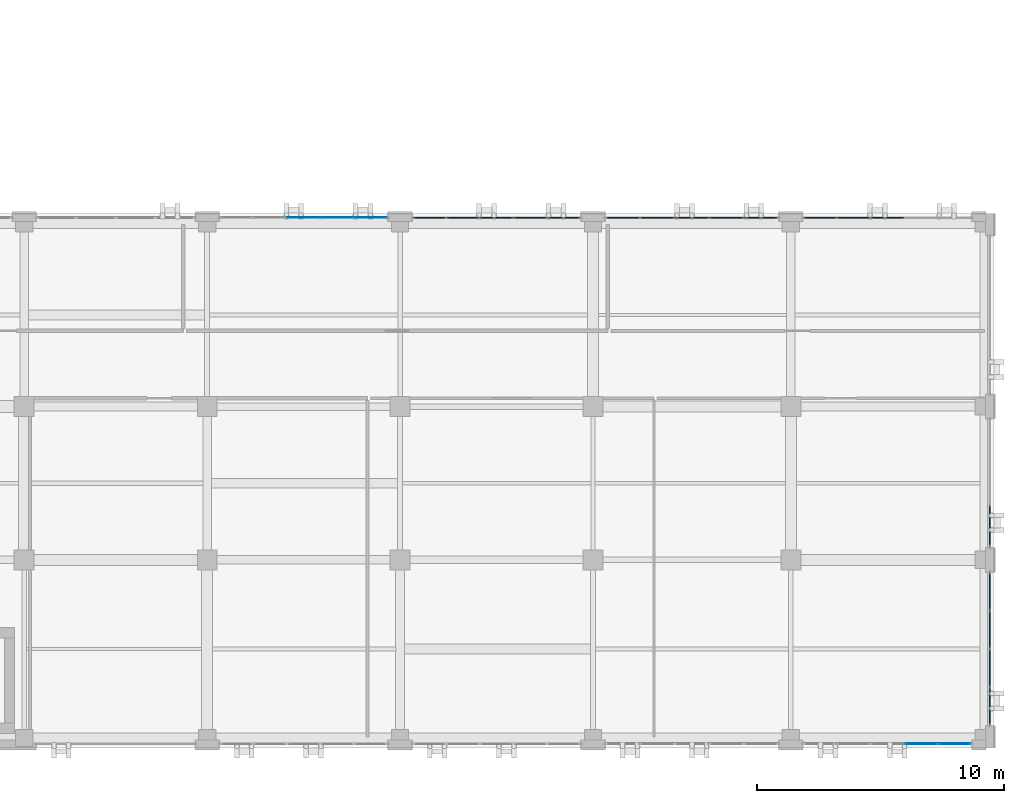
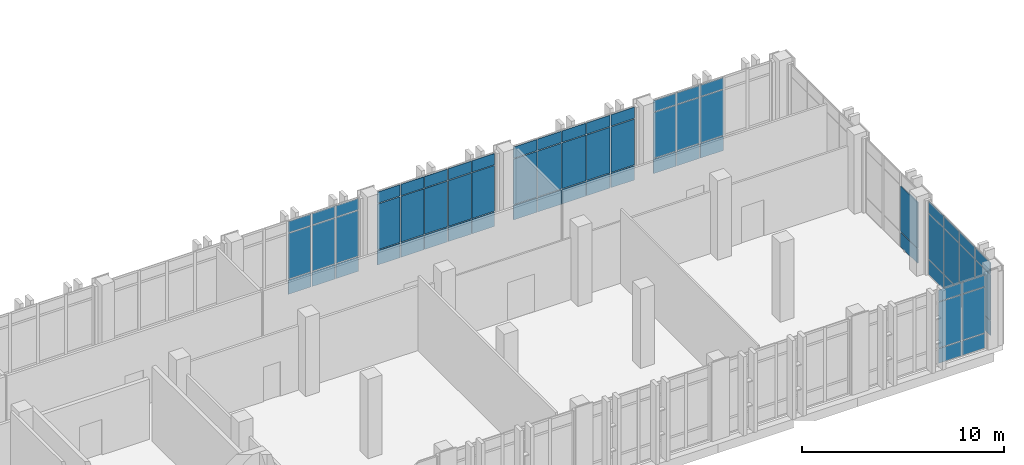
# One storey, part 149 of 189: 68 plates, 7 elements without a shape of their own.
"""IFC4 building model written with IfcOpenShell, lengths in metres."""

from ifc_helpers import new_model, si_unit, direction, frame, origin, origin_2d, place, context, subcontext, project, spatial, rectangle, extrude, material, layer, layer_set, type_object, element, aggregate, save


model = new_model("IFC4")

# Units and contexts
model_context = context("Model", 3, precision=1e-05, world=origin(), true_north=direction((0.0, 1.0)))
body_context = subcontext(model_context, "Body", "Model", "MODEL_VIEW")
ifc_project = project(units=[si_unit("LENGTHUNIT", "METRE"), si_unit("AREAUNIT", "SQUARE_METRE"), si_unit("VOLUMEUNIT", "CUBIC_METRE"), si_unit("PLANEANGLEUNIT", "RADIAN"), si_unit("MASSUNIT", "GRAM", prefix="KILO")], contexts=[model_context])

# Site, building, storey
site_placement = place(None, origin())
site = spatial("IfcSite", under=ifc_project, at=site_placement, CompositionType="ELEMENT")
building_placement = place(site_placement, origin())
building = spatial("IfcBuilding", under=site, at=building_placement, Name="Qalavern Law Courts", CompositionType="ELEMENT")
storey_placement = place(building_placement, frame((0.0, 0.0, 5.39990234375)))
storey = spatial("IfcBuildingStorey", under=building, at=storey_placement, Name="L01", CompositionType="ELEMENT", Elevation=5.39990234375)

# Curtain wall, plates
ifc_material_1 = material(Name="Anodised aluminium and insulated glazing", Category="aluminium")
ifc_layer_1 = layer(ifc_material_1, 0.172119140625)
ifc_layer_set_1 = layer_set([ifc_layer_1], Name="Anodised aluminium and insulated glazing")
curtain_wall_type = type_object("IfcCurtainWallType", Name="ENV-CW-COURT", PredefinedType="USERDEFINED", material=ifc_layer_set_1)
curtain_wall_1_placement = place(storey_placement, origin())
curtain_wall_1 = element("IfcCurtainWall", 1, at=curtain_wall_1_placement, inside=storey, type_object=curtain_wall_type, Name="V6 unitised curtain wall L01 north 4", ObjectType="UNITISED CURTAIN WALL", PredefinedType="USERDEFINED")
ifc_material_2 = material(Name="Insulated low-E acoustic glazing", Category="glass")
ifc_layer_2 = layer(ifc_material_2, 0.02392578125)
ifc_layer_set_2 = layer_set([ifc_layer_2], Name="Insulated low-E acoustic glazing")
plate_type_1 = type_object("IfcPlateType", Name="ENV-CWP-24", PredefinedType="CURTAIN_PANEL", material=ifc_layer_set_2)
plate_1_placement = place(storey_placement, frame((140.80810546875, 22.4375, 0.048095703125), z_axis=(0.0, 0.0, 1.0), x_axis=(-1.0, 0.0, 0.0)))
plate_1 = element("IfcPlate", 2, at=plate_1_placement, type_object=plate_type_1, Name="CW-03 panel 1.1", PredefinedType="CURTAIN_PANEL", context=body_context, shape_type="SweptSolid", body=[
    extrude(rectangle(XDim=1.2880859375, YDim=0.02392578125, at=origin_2d()), origin(), (0.0, 0.0, 1.0), 0.8779296875),
])
plate_2_placement = place(storey_placement, frame((140.80810546875, 22.4375, 0.97412109375), z_axis=(0.0, 0.0, 1.0), x_axis=(-1.0, 0.0, 0.0)))
plate_2 = element("IfcPlate", 3, at=plate_2_placement, type_object=plate_type_1, Name="CW-03 panel 1.2", PredefinedType="CURTAIN_PANEL", context=body_context, shape_type="SweptSolid", body=[
    extrude(rectangle(XDim=1.2880859375, YDim=0.02392578125, at=origin_2d()), origin(), (0.0, 0.0, 1.0), 2.761962890625),
])
plate_3_placement = place(storey_placement, frame((140.80810546875, 22.4375, 3.7841796875), z_axis=(0.0, 0.0, 1.0), x_axis=(-1.0, 0.0, 0.0)))
plate_3 = element("IfcPlate", 4, at=plate_3_placement, type_object=plate_type_1, Name="CW-03 panel 1.3", PredefinedType="CURTAIN_PANEL", context=body_context, shape_type="SweptSolid", body=[
    extrude(rectangle(XDim=1.2880859375, YDim=0.02392578125, at=origin_2d()), origin(), (0.0, 0.0, 1.0), 0.677978515625),
])
plate_4_placement = place(storey_placement, frame((139.4599609375, 22.4375, 0.048095703125), z_axis=(0.0, 0.0, 1.0), x_axis=(-1.0, 0.0, 0.0)))
plate_4 = element("IfcPlate", 5, at=plate_4_placement, type_object=plate_type_1, Name="CW-03 panel 2.1", PredefinedType="CURTAIN_PANEL", context=body_context, shape_type="SweptSolid", body=[
    extrude(rectangle(XDim=1.31201171875, YDim=0.02392578125, at=origin_2d()), origin(), (0.0, 0.0, 1.0), 0.8779296875),
])
plate_5_placement = place(storey_placement, frame((139.4599609375, 22.4375, 0.97412109375), z_axis=(0.0, 0.0, 1.0), x_axis=(-1.0, 0.0, 0.0)))
plate_5 = element("IfcPlate", 6, at=plate_5_placement, type_object=plate_type_1, Name="CW-03 panel 2.2", PredefinedType="CURTAIN_PANEL", context=body_context, shape_type="SweptSolid", body=[
    extrude(rectangle(XDim=1.31201171875, YDim=0.02392578125, at=origin_2d()), origin(), (0.0, 0.0, 1.0), 2.761962890625),
])
plate_6_placement = place(storey_placement, frame((139.4599609375, 22.4375, 3.7841796875), z_axis=(0.0, 0.0, 1.0), x_axis=(-1.0, 0.0, 0.0)))
plate_6 = element("IfcPlate", 7, at=plate_6_placement, type_object=plate_type_1, Name="CW-03 panel 2.3", PredefinedType="CURTAIN_PANEL", context=body_context, shape_type="SweptSolid", body=[
    extrude(rectangle(XDim=1.31201171875, YDim=0.02392578125, at=origin_2d()), origin(), (0.0, 0.0, 1.0), 0.677978515625),
])
plate_7_placement = place(storey_placement, frame((138.10009765625, 22.4375, 0.048095703125), z_axis=(0.0, 0.0, 1.0), x_axis=(-1.0, 0.0, 0.0)))
plate_7 = element("IfcPlate", 8, at=plate_7_placement, type_object=plate_type_1, Name="CW-03 panel 3.1", PredefinedType="CURTAIN_PANEL", context=body_context, shape_type="SweptSolid", body=[
    extrude(rectangle(XDim=1.31201171875, YDim=0.02392578125, at=origin_2d()), origin(), (0.0, 0.0, 1.0), 0.8779296875),
])
plate_8_placement = place(storey_placement, frame((138.10009765625, 22.4375, 0.97412109375), z_axis=(0.0, 0.0, 1.0), x_axis=(-1.0, 0.0, 0.0)))
plate_8 = element("IfcPlate", 9, at=plate_8_placement, type_object=plate_type_1, Name="CW-03 panel 3.2", PredefinedType="CURTAIN_PANEL", context=body_context, shape_type="SweptSolid", body=[
    extrude(rectangle(XDim=1.31201171875, YDim=0.02392578125, at=origin_2d()), origin(), (0.0, 0.0, 1.0), 2.761962890625),
])
plate_9_placement = place(storey_placement, frame((138.10009765625, 22.4375, 3.7841796875), z_axis=(0.0, 0.0, 1.0), x_axis=(-1.0, 0.0, 0.0)))
plate_9 = element("IfcPlate", 10, at=plate_9_placement, type_object=plate_type_1, Name="CW-03 panel 3.3", PredefinedType="CURTAIN_PANEL", context=body_context, shape_type="SweptSolid", body=[
    extrude(rectangle(XDim=1.31201171875, YDim=0.02392578125, at=origin_2d()), origin(), (0.0, 0.0, 1.0), 0.677978515625),
])
aggregate(curtain_wall_1, [plate_1, plate_2, plate_3, plate_4, plate_5, plate_6, plate_7, plate_8, plate_9])

curtain_wall_2_placement = place(storey_placement, origin())
curtain_wall_2 = element("IfcCurtainWall", 11, at=curtain_wall_2_placement, inside=storey, type_object=curtain_wall_type, Name="V6 unitised curtain wall L01 south 7", ObjectType="UNITISED CURTAIN WALL", PredefinedType="USERDEFINED")
ifc_layer_3 = layer(ifc_material_2, 0.035888671875)
ifc_layer_set_3 = layer_set([ifc_layer_3], Name="Insulated low-E acoustic glazing")
plate_type_2 = type_object("IfcPlateType", Name="ENV-CWP-36", PredefinedType="CURTAIN_PANEL", material=ifc_layer_set_3)
plate_10_placement = place(storey_placement, frame((163.06005859375, 1.16259765625, 0.048095703125), z_axis=(0.0, 0.0, 1.0), x_axis=(1.0, 0.0, 0.0)))
plate_10 = element("IfcPlate", 12, at=plate_10_placement, type_object=plate_type_2, Name="CW-03 panel 4.1", PredefinedType="CURTAIN_PANEL", context=body_context, shape_type="SweptSolid", body=[
    extrude(rectangle(XDim=1.31201171875, YDim=0.035888671875, at=origin_2d()), origin(), (0.0, 0.0, 1.0), 0.8779296875),
])
plate_11_placement = place(storey_placement, frame((163.06005859375, 1.16259765625, 0.97412109375), z_axis=(0.0, 0.0, 1.0), x_axis=(1.0, 0.0, 0.0)))
plate_11 = element("IfcPlate", 13, at=plate_11_placement, type_object=plate_type_2, Name="CW-03 panel 4.2", PredefinedType="CURTAIN_PANEL", context=body_context, shape_type="SweptSolid", body=[
    extrude(rectangle(XDim=1.31201171875, YDim=0.035888671875, at=origin_2d()), origin(), (0.0, 0.0, 1.0), 2.761962890625),
])
plate_12_placement = place(storey_placement, frame((163.06005859375, 1.16259765625, 3.7841796875), z_axis=(0.0, 0.0, 1.0), x_axis=(1.0, 0.0, 0.0)))
plate_12 = element("IfcPlate", 14, at=plate_12_placement, type_object=plate_type_2, Name="CW-03 panel 4.3", PredefinedType="CURTAIN_PANEL", context=body_context, shape_type="SweptSolid", body=[
    extrude(rectangle(XDim=1.31201171875, YDim=0.035888671875, at=origin_2d()), origin(), (0.0, 0.0, 1.0), 0.677978515625),
])
plate_13_placement = place(storey_placement, frame((164.407958984375, 1.16259765625, 0.048095703125), z_axis=(0.0, 0.0, 1.0), x_axis=(1.0, 0.0, 0.0)))
plate_13 = element("IfcPlate", 15, at=plate_13_placement, type_object=plate_type_2, Name="CW-03 panel 5.1", PredefinedType="CURTAIN_PANEL", context=body_context, shape_type="SweptSolid", body=[
    extrude(rectangle(XDim=1.2880859375, YDim=0.035888671875, at=origin_2d()), origin(), (0.0, 0.0, 1.0), 0.8779296875),
])
plate_14_placement = place(storey_placement, frame((164.407958984375, 1.16259765625, 0.97412109375), z_axis=(0.0, 0.0, 1.0), x_axis=(1.0, 0.0, 0.0)))
plate_14 = element("IfcPlate", 16, at=plate_14_placement, type_object=plate_type_2, Name="CW-03 panel 5.2", PredefinedType="CURTAIN_PANEL", context=body_context, shape_type="SweptSolid", body=[
    extrude(rectangle(XDim=1.2880859375, YDim=0.035888671875, at=origin_2d()), origin(), (0.0, 0.0, 1.0), 2.761962890625),
])
plate_15_placement = place(storey_placement, frame((164.407958984375, 1.16259765625, 3.7841796875), z_axis=(0.0, 0.0, 1.0), x_axis=(1.0, 0.0, 0.0)))
plate_15 = element("IfcPlate", 17, at=plate_15_placement, type_object=plate_type_2, Name="CW-03 panel 5.3", PredefinedType="CURTAIN_PANEL", context=body_context, shape_type="SweptSolid", body=[
    extrude(rectangle(XDim=1.2880859375, YDim=0.035888671875, at=origin_2d()), origin(), (0.0, 0.0, 1.0), 0.677978515625),
])
aggregate(curtain_wall_2, [plate_10, plate_11, plate_12, plate_13, plate_14, plate_15])

curtain_wall_3_placement = place(storey_placement, origin())
curtain_wall_3 = element("IfcCurtainWall", 18, at=curtain_wall_3_placement, inside=storey, type_object=curtain_wall_type, Name="V6 unitised curtain wall L01 east 1", ObjectType="UNITISED CURTAIN WALL", PredefinedType="USERDEFINED")
ifc_layer_4 = layer(ifc_material_2, 0.0439453125)
ifc_layer_set_4 = layer_set([ifc_layer_4], Name="Insulated low-E acoustic glazing")
plate_type_3 = type_object("IfcPlateType", Name="ENV-CWP-44", PredefinedType="CURTAIN_PANEL", material=ifc_layer_set_4)
plate_16_placement = place(storey_placement, frame((165.83740234375, 2.68701171875, 0.048095703125), z_axis=(0.0, 0.0, 1.0), x_axis=(0.0, 1.0, 0.0)))
plate_16 = element("IfcPlate", 19, at=plate_16_placement, type_object=plate_type_3, Name="CW-03 panel 1.1", PredefinedType="CURTAIN_PANEL", context=body_context, shape_type="SweptSolid", body=[
    extrude(rectangle(XDim=1.47802734375, YDim=0.0439453125, at=origin_2d()), origin(), (0.0, 0.0, 1.0), 0.8779296875),
])
plate_17_placement = place(storey_placement, frame((165.83740234375, 2.68701171875, 0.97412109375), z_axis=(0.0, 0.0, 1.0), x_axis=(0.0, 1.0, 0.0)))
plate_17 = element("IfcPlate", 20, at=plate_17_placement, type_object=plate_type_3, Name="CW-03 panel 1.2", PredefinedType="CURTAIN_PANEL", context=body_context, shape_type="SweptSolid", body=[
    extrude(rectangle(XDim=1.47802734375, YDim=0.0439453125, at=origin_2d()), origin(), (0.0, 0.0, 1.0), 2.761962890625),
])
plate_18_placement = place(storey_placement, frame((165.83740234375, 2.68701171875, 3.7841796875), z_axis=(0.0, 0.0, 1.0), x_axis=(0.0, 1.0, 0.0)))
plate_18 = element("IfcPlate", 21, at=plate_18_placement, type_object=plate_type_3, Name="CW-03 panel 1.3", PredefinedType="CURTAIN_PANEL", context=body_context, shape_type="SweptSolid", body=[
    extrude(rectangle(XDim=1.47802734375, YDim=0.0439453125, at=origin_2d()), origin(), (0.0, 0.0, 1.0), 0.677978515625),
])
plate_19_placement = place(storey_placement, frame((165.83740234375, 4.22509765625, 0.048095703125), z_axis=(0.0, 0.0, 1.0), x_axis=(0.0, 1.0, 0.0)))
plate_19 = element("IfcPlate", 22, at=plate_19_placement, type_object=plate_type_3, Name="CW-03 panel 2.1", PredefinedType="CURTAIN_PANEL", context=body_context, shape_type="SweptSolid", body=[
    extrude(rectangle(XDim=1.501953125, YDim=0.0439453125, at=origin_2d()), origin(), (0.0, 0.0, 1.0), 0.8779296875),
])
plate_20_placement = place(storey_placement, frame((165.83740234375, 4.22509765625, 0.97412109375), z_axis=(0.0, 0.0, 1.0), x_axis=(0.0, 1.0, 0.0)))
plate_20 = element("IfcPlate", 23, at=plate_20_placement, type_object=plate_type_3, Name="CW-03 panel 2.2", PredefinedType="CURTAIN_PANEL", context=body_context, shape_type="SweptSolid", body=[
    extrude(rectangle(XDim=1.501953125, YDim=0.0439453125, at=origin_2d()), origin(), (0.0, 0.0, 1.0), 2.761962890625),
])
plate_21_placement = place(storey_placement, frame((165.83740234375, 4.22509765625, 3.7841796875), z_axis=(0.0, 0.0, 1.0), x_axis=(0.0, 1.0, 0.0)))
plate_21 = element("IfcPlate", 24, at=plate_21_placement, type_object=plate_type_3, Name="CW-03 panel 2.3", PredefinedType="CURTAIN_PANEL", context=body_context, shape_type="SweptSolid", body=[
    extrude(rectangle(XDim=1.501953125, YDim=0.0439453125, at=origin_2d()), origin(), (0.0, 0.0, 1.0), 0.677978515625),
])
plate_22_placement = place(storey_placement, frame((165.83740234375, 5.77490234375, 0.048095703125), z_axis=(0.0, 0.0, 1.0), x_axis=(0.0, 1.0, 0.0)))
plate_22 = element("IfcPlate", 25, at=plate_22_placement, type_object=plate_type_3, Name="CW-03 panel 3.1", PredefinedType="CURTAIN_PANEL", context=body_context, shape_type="SweptSolid", body=[
    extrude(rectangle(XDim=1.501953125, YDim=0.0439453125, at=origin_2d()), origin(), (0.0, 0.0, 1.0), 0.8779296875),
])
plate_23_placement = place(storey_placement, frame((165.83740234375, 5.77490234375, 0.97412109375), z_axis=(0.0, 0.0, 1.0), x_axis=(0.0, 1.0, 0.0)))
plate_23 = element("IfcPlate", 26, at=plate_23_placement, type_object=plate_type_3, Name="CW-03 panel 3.2", PredefinedType="CURTAIN_PANEL", context=body_context, shape_type="SweptSolid", body=[
    extrude(rectangle(XDim=1.501953125, YDim=0.0439453125, at=origin_2d()), origin(), (0.0, 0.0, 1.0), 2.761962890625),
])
plate_24_placement = place(storey_placement, frame((165.83740234375, 5.77490234375, 3.7841796875), z_axis=(0.0, 0.0, 1.0), x_axis=(0.0, 1.0, 0.0)))
plate_24 = element("IfcPlate", 27, at=plate_24_placement, type_object=plate_type_3, Name="CW-03 panel 3.3", PredefinedType="CURTAIN_PANEL", context=body_context, shape_type="SweptSolid", body=[
    extrude(rectangle(XDim=1.501953125, YDim=0.0439453125, at=origin_2d()), origin(), (0.0, 0.0, 1.0), 0.677978515625),
])
plate_25_placement = place(storey_placement, frame((165.83740234375, 7.31298828125, 0.048095703125), z_axis=(0.0, 0.0, 1.0), x_axis=(0.0, 1.0, 0.0)))
plate_25 = element("IfcPlate", 28, at=plate_25_placement, type_object=plate_type_3, Name="CW-03 panel 4.1", PredefinedType="CURTAIN_PANEL", context=body_context, shape_type="SweptSolid", body=[
    extrude(rectangle(XDim=1.47802734375, YDim=0.0439453125, at=origin_2d()), origin(), (0.0, 0.0, 1.0), 0.8779296875),
])
plate_26_placement = place(storey_placement, frame((165.83740234375, 7.31298828125, 0.97412109375), z_axis=(0.0, 0.0, 1.0), x_axis=(0.0, 1.0, 0.0)))
plate_26 = element("IfcPlate", 29, at=plate_26_placement, type_object=plate_type_3, Name="CW-03 panel 4.2", PredefinedType="CURTAIN_PANEL", context=body_context, shape_type="SweptSolid", body=[
    extrude(rectangle(XDim=1.47802734375, YDim=0.0439453125, at=origin_2d()), origin(), (0.0, 0.0, 1.0), 2.761962890625),
])
plate_27_placement = place(storey_placement, frame((165.83740234375, 7.31298828125, 3.7841796875), z_axis=(0.0, 0.0, 1.0), x_axis=(0.0, 1.0, 0.0)))
plate_27 = element("IfcPlate", 30, at=plate_27_placement, type_object=plate_type_3, Name="CW-03 panel 4.3", PredefinedType="CURTAIN_PANEL", context=body_context, shape_type="SweptSolid", body=[
    extrude(rectangle(XDim=1.47802734375, YDim=0.0439453125, at=origin_2d()), origin(), (0.0, 0.0, 1.0), 0.677978515625),
])
aggregate(curtain_wall_3, [plate_16, plate_17, plate_18, plate_19, plate_20, plate_21, plate_22, plate_23, plate_24, plate_25, plate_26, plate_27])

curtain_wall_4_placement = place(storey_placement, origin())
curtain_wall_4 = element("IfcCurtainWall", 31, at=curtain_wall_4_placement, inside=storey, type_object=curtain_wall_type, Name="V6 unitised curtain wall L01 north 1", ObjectType="UNITISED CURTAIN WALL", PredefinedType="USERDEFINED")
plate_28_placement = place(storey_placement, frame((161.699951171875, 22.4375, 0.048095703125), z_axis=(0.0, 0.0, 1.0), x_axis=(-1.0, 0.0, 0.0)))
plate_28 = element("IfcPlate", 32, at=plate_28_placement, type_object=plate_type_3, Name="CW-03 panel 3.1", PredefinedType="CURTAIN_PANEL", context=body_context, shape_type="SweptSolid", body=[
    extrude(rectangle(XDim=1.31201171875, YDim=0.0439453125, at=origin_2d()), origin(), (0.0, 0.0, 1.0), 0.8779296875),
])
plate_29_placement = place(storey_placement, frame((161.699951171875, 22.4375, 0.97412109375), z_axis=(0.0, 0.0, 1.0), x_axis=(-1.0, 0.0, 0.0)))
plate_29 = element("IfcPlate", 33, at=plate_29_placement, type_object=plate_type_3, Name="CW-03 panel 3.2", PredefinedType="CURTAIN_PANEL", context=body_context, shape_type="SweptSolid", body=[
    extrude(rectangle(XDim=1.31201171875, YDim=0.0439453125, at=origin_2d()), origin(), (0.0, 0.0, 1.0), 2.761962890625),
])
plate_30_placement = place(storey_placement, frame((161.699951171875, 22.4375, 3.7841796875), z_axis=(0.0, 0.0, 1.0), x_axis=(-1.0, 0.0, 0.0)))
plate_30 = element("IfcPlate", 34, at=plate_30_placement, type_object=plate_type_3, Name="CW-03 panel 3.3", PredefinedType="CURTAIN_PANEL", context=body_context, shape_type="SweptSolid", body=[
    extrude(rectangle(XDim=1.31201171875, YDim=0.0439453125, at=origin_2d()), origin(), (0.0, 0.0, 1.0), 0.677978515625),
])
plate_31_placement = place(storey_placement, frame((160.340087890625, 22.4375, 0.048095703125), z_axis=(0.0, 0.0, 1.0), x_axis=(-1.0, 0.0, 0.0)))
plate_31 = element("IfcPlate", 35, at=plate_31_placement, type_object=plate_type_3, Name="CW-03 panel 4.1", PredefinedType="CURTAIN_PANEL", context=body_context, shape_type="SweptSolid", body=[
    extrude(rectangle(XDim=1.31201171875, YDim=0.0439453125, at=origin_2d()), origin(), (0.0, 0.0, 1.0), 0.8779296875),
])
plate_32_placement = place(storey_placement, frame((160.340087890625, 22.4375, 0.97412109375), z_axis=(0.0, 0.0, 1.0), x_axis=(-1.0, 0.0, 0.0)))
plate_32 = element("IfcPlate", 36, at=plate_32_placement, type_object=plate_type_3, Name="CW-03 panel 4.2", PredefinedType="CURTAIN_PANEL", context=body_context, shape_type="SweptSolid", body=[
    extrude(rectangle(XDim=1.31201171875, YDim=0.0439453125, at=origin_2d()), origin(), (0.0, 0.0, 1.0), 2.761962890625),
])
plate_33_placement = place(storey_placement, frame((160.340087890625, 22.4375, 3.7841796875), z_axis=(0.0, 0.0, 1.0), x_axis=(-1.0, 0.0, 0.0)))
plate_33 = element("IfcPlate", 37, at=plate_33_placement, type_object=plate_type_3, Name="CW-03 panel 4.3", PredefinedType="CURTAIN_PANEL", context=body_context, shape_type="SweptSolid", body=[
    extrude(rectangle(XDim=1.31201171875, YDim=0.0439453125, at=origin_2d()), origin(), (0.0, 0.0, 1.0), 0.677978515625),
])
plate_34_placement = place(storey_placement, frame((158.991943359375, 22.4375, 0.048095703125), z_axis=(0.0, 0.0, 1.0), x_axis=(-1.0, 0.0, 0.0)))
plate_34 = element("IfcPlate", 38, at=plate_34_placement, type_object=plate_type_3, Name="CW-03 panel 5.1", PredefinedType="CURTAIN_PANEL", context=body_context, shape_type="SweptSolid", body=[
    extrude(rectangle(XDim=1.2880859375, YDim=0.0439453125, at=origin_2d()), origin(), (0.0, 0.0, 1.0), 0.8779296875),
])
plate_35_placement = place(storey_placement, frame((158.991943359375, 22.4375, 0.97412109375), z_axis=(0.0, 0.0, 1.0), x_axis=(-1.0, 0.0, 0.0)))
plate_35 = element("IfcPlate", 39, at=plate_35_placement, type_object=plate_type_3, Name="CW-03 panel 5.2", PredefinedType="CURTAIN_PANEL", context=body_context, shape_type="SweptSolid", body=[
    extrude(rectangle(XDim=1.2880859375, YDim=0.0439453125, at=origin_2d()), origin(), (0.0, 0.0, 1.0), 2.761962890625),
])
plate_36_placement = place(storey_placement, frame((158.991943359375, 22.4375, 3.7841796875), z_axis=(0.0, 0.0, 1.0), x_axis=(-1.0, 0.0, 0.0)))
plate_36 = element("IfcPlate", 40, at=plate_36_placement, type_object=plate_type_3, Name="CW-03 panel 5.3", PredefinedType="CURTAIN_PANEL", context=body_context, shape_type="SweptSolid", body=[
    extrude(rectangle(XDim=1.2880859375, YDim=0.0439453125, at=origin_2d()), origin(), (0.0, 0.0, 1.0), 0.677978515625),
])
aggregate(curtain_wall_4, [plate_28, plate_29, plate_30, plate_31, plate_32, plate_33, plate_34, plate_35, plate_36])

curtain_wall_5_placement = place(storey_placement, origin())
curtain_wall_5 = element("IfcCurtainWall", 41, at=curtain_wall_5_placement, inside=storey, type_object=curtain_wall_type, Name="V6 unitised curtain wall L01 east 2", ObjectType="UNITISED CURTAIN WALL", PredefinedType="USERDEFINED")
ifc_layer_5 = layer(ifc_material_2, 0.048095703125)
ifc_layer_set_5 = layer_set([ifc_layer_5], Name="Insulated low-E acoustic glazing")
plate_type_4 = type_object("IfcPlateType", Name="ENV-CWP-48", PredefinedType="CURTAIN_PANEL", material=ifc_layer_set_5)
plate_37_placement = place(storey_placement, frame((165.83740234375, 9.978759765625, 0.048095703125), z_axis=(0.0, 0.0, 1.0), x_axis=(0.0, 1.0, 0.0)))
plate_37 = element("IfcPlate", 42, at=plate_37_placement, type_object=plate_type_4, Name="CW-03 panel 1.1", PredefinedType="CURTAIN_PANEL", context=body_context, shape_type="SweptSolid", body=[
    extrude(rectangle(XDim=1.661376953125, YDim=0.048095703125, at=origin_2d()), origin(), (0.0, 0.0, 1.0), 0.8779296875),
])
plate_38_placement = place(storey_placement, frame((165.83740234375, 9.978759765625, 0.97412109375), z_axis=(0.0, 0.0, 1.0), x_axis=(0.0, 1.0, 0.0)))
plate_38 = element("IfcPlate", 43, at=plate_38_placement, type_object=plate_type_4, Name="CW-03 panel 1.2", PredefinedType="CURTAIN_PANEL", context=body_context, shape_type="SweptSolid", body=[
    extrude(rectangle(XDim=1.661376953125, YDim=0.048095703125, at=origin_2d()), origin(), (0.0, 0.0, 1.0), 2.761962890625),
])
aggregate(curtain_wall_5, [plate_37, plate_38])

curtain_wall_6_placement = place(storey_placement, origin())
curtain_wall_6 = element("IfcCurtainWall", 44, at=curtain_wall_6_placement, inside=storey, type_object=curtain_wall_type, Name="V6 unitised curtain wall L01 north 2", ObjectType="UNITISED CURTAIN WALL", PredefinedType="USERDEFINED")
plate_39_placement = place(storey_placement, frame((156.587890625, 22.4375, 0.048095703125), z_axis=(0.0, 0.0, 1.0), x_axis=(-1.0, 0.0, 0.0)))
plate_39 = element("IfcPlate", 45, at=plate_39_placement, type_object=plate_type_4, Name="CW-03 panel 1.1", PredefinedType="CURTAIN_PANEL", context=body_context, shape_type="SweptSolid", body=[
    extrude(rectangle(XDim=1.327880859375, YDim=0.048095703125, at=origin_2d()), origin(), (0.0, 0.0, 1.0), 0.8779296875),
])
plate_40_placement = place(storey_placement, frame((156.587890625, 22.4375, 0.97412109375), z_axis=(0.0, 0.0, 1.0), x_axis=(-1.0, 0.0, 0.0)))
plate_40 = element("IfcPlate", 46, at=plate_40_placement, type_object=plate_type_4, Name="CW-03 panel 1.2", PredefinedType="CURTAIN_PANEL", context=body_context, shape_type="SweptSolid", body=[
    extrude(rectangle(XDim=1.327880859375, YDim=0.048095703125, at=origin_2d()), origin(), (0.0, 0.0, 1.0), 2.761962890625),
])
plate_41_placement = place(storey_placement, frame((156.587890625, 22.4375, 3.7841796875), z_axis=(0.0, 0.0, 1.0), x_axis=(-1.0, 0.0, 0.0)))
plate_41 = element("IfcPlate", 47, at=plate_41_placement, type_object=plate_type_4, Name="CW-03 panel 1.3", PredefinedType="CURTAIN_PANEL", context=body_context, shape_type="SweptSolid", body=[
    extrude(rectangle(XDim=1.327880859375, YDim=0.048095703125, at=origin_2d()), origin(), (0.0, 0.0, 1.0), 0.677978515625),
])
plate_42_placement = place(storey_placement, frame((155.199951171875, 22.4375, 0.048095703125), z_axis=(0.0, 0.0, 1.0), x_axis=(-1.0, 0.0, 0.0)))
plate_42 = element("IfcPlate", 48, at=plate_42_placement, type_object=plate_type_4, Name="CW-03 panel 2.1", PredefinedType="CURTAIN_PANEL", context=body_context, shape_type="SweptSolid", body=[
    extrude(rectangle(XDim=1.35205078125, YDim=0.048095703125, at=origin_2d()), origin(), (0.0, 0.0, 1.0), 0.8779296875),
])
plate_43_placement = place(storey_placement, frame((155.199951171875, 22.4375, 0.97412109375), z_axis=(0.0, 0.0, 1.0), x_axis=(-1.0, 0.0, 0.0)))
plate_43 = element("IfcPlate", 49, at=plate_43_placement, type_object=plate_type_4, Name="CW-03 panel 2.2", PredefinedType="CURTAIN_PANEL", context=body_context, shape_type="SweptSolid", body=[
    extrude(rectangle(XDim=1.35205078125, YDim=0.048095703125, at=origin_2d()), origin(), (0.0, 0.0, 1.0), 2.761962890625),
])
plate_44_placement = place(storey_placement, frame((155.199951171875, 22.4375, 3.7841796875), z_axis=(0.0, 0.0, 1.0), x_axis=(-1.0, 0.0, 0.0)))
plate_44 = element("IfcPlate", 50, at=plate_44_placement, type_object=plate_type_4, Name="CW-03 panel 2.3", PredefinedType="CURTAIN_PANEL", context=body_context, shape_type="SweptSolid", body=[
    extrude(rectangle(XDim=1.35205078125, YDim=0.048095703125, at=origin_2d()), origin(), (0.0, 0.0, 1.0), 0.677978515625),
])
plate_45_placement = place(storey_placement, frame((153.800048828125, 22.4375, 0.048095703125), z_axis=(0.0, 0.0, 1.0), x_axis=(-1.0, 0.0, 0.0)))
plate_45 = element("IfcPlate", 51, at=plate_45_placement, type_object=plate_type_4, Name="CW-03 panel 3.1", PredefinedType="CURTAIN_PANEL", context=body_context, shape_type="SweptSolid", body=[
    extrude(rectangle(XDim=1.35205078125, YDim=0.048095703125, at=origin_2d()), origin(), (0.0, 0.0, 1.0), 0.8779296875),
])
plate_46_placement = place(storey_placement, frame((153.800048828125, 22.4375, 0.97412109375), z_axis=(0.0, 0.0, 1.0), x_axis=(-1.0, 0.0, 0.0)))
plate_46 = element("IfcPlate", 52, at=plate_46_placement, type_object=plate_type_4, Name="CW-03 panel 3.2", PredefinedType="CURTAIN_PANEL", context=body_context, shape_type="SweptSolid", body=[
    extrude(rectangle(XDim=1.35205078125, YDim=0.048095703125, at=origin_2d()), origin(), (0.0, 0.0, 1.0), 2.761962890625),
])
plate_47_placement = place(storey_placement, frame((153.800048828125, 22.4375, 3.7841796875), z_axis=(0.0, 0.0, 1.0), x_axis=(-1.0, 0.0, 0.0)))
plate_47 = element("IfcPlate", 53, at=plate_47_placement, type_object=plate_type_4, Name="CW-03 panel 3.3", PredefinedType="CURTAIN_PANEL", context=body_context, shape_type="SweptSolid", body=[
    extrude(rectangle(XDim=1.35205078125, YDim=0.048095703125, at=origin_2d()), origin(), (0.0, 0.0, 1.0), 0.677978515625),
])
plate_48_placement = place(storey_placement, frame((152.39990234375, 22.4375, 0.048095703125), z_axis=(0.0, 0.0, 1.0), x_axis=(-1.0, 0.0, 0.0)))
plate_48 = element("IfcPlate", 54, at=plate_48_placement, type_object=plate_type_4, Name="CW-03 panel 4.1", PredefinedType="CURTAIN_PANEL", context=body_context, shape_type="SweptSolid", body=[
    extrude(rectangle(XDim=1.35205078125, YDim=0.048095703125, at=origin_2d()), origin(), (0.0, 0.0, 1.0), 0.8779296875),
])
plate_49_placement = place(storey_placement, frame((152.39990234375, 22.4375, 0.97412109375), z_axis=(0.0, 0.0, 1.0), x_axis=(-1.0, 0.0, 0.0)))
plate_49 = element("IfcPlate", 55, at=plate_49_placement, type_object=plate_type_4, Name="CW-03 panel 4.2", PredefinedType="CURTAIN_PANEL", context=body_context, shape_type="SweptSolid", body=[
    extrude(rectangle(XDim=1.35205078125, YDim=0.048095703125, at=origin_2d()), origin(), (0.0, 0.0, 1.0), 2.761962890625),
])
plate_50_placement = place(storey_placement, frame((152.39990234375, 22.4375, 3.7841796875), z_axis=(0.0, 0.0, 1.0), x_axis=(-1.0, 0.0, 0.0)))
plate_50 = element("IfcPlate", 56, at=plate_50_placement, type_object=plate_type_4, Name="CW-03 panel 4.3", PredefinedType="CURTAIN_PANEL", context=body_context, shape_type="SweptSolid", body=[
    extrude(rectangle(XDim=1.35205078125, YDim=0.048095703125, at=origin_2d()), origin(), (0.0, 0.0, 1.0), 0.677978515625),
])
plate_51_placement = place(storey_placement, frame((151.011962890625, 22.4375, 0.048095703125), z_axis=(0.0, 0.0, 1.0), x_axis=(-1.0, 0.0, 0.0)))
plate_51 = element("IfcPlate", 57, at=plate_51_placement, type_object=plate_type_4, Name="CW-03 panel 5.1", PredefinedType="CURTAIN_PANEL", context=body_context, shape_type="SweptSolid", body=[
    extrude(rectangle(XDim=1.327880859375, YDim=0.048095703125, at=origin_2d()), origin(), (0.0, 0.0, 1.0), 0.8779296875),
])
plate_52_placement = place(storey_placement, frame((151.011962890625, 22.4375, 0.97412109375), z_axis=(0.0, 0.0, 1.0), x_axis=(-1.0, 0.0, 0.0)))
plate_52 = element("IfcPlate", 58, at=plate_52_placement, type_object=plate_type_4, Name="CW-03 panel 5.2", PredefinedType="CURTAIN_PANEL", context=body_context, shape_type="SweptSolid", body=[
    extrude(rectangle(XDim=1.327880859375, YDim=0.048095703125, at=origin_2d()), origin(), (0.0, 0.0, 1.0), 2.761962890625),
])
plate_53_placement = place(storey_placement, frame((151.011962890625, 22.4375, 3.7841796875), z_axis=(0.0, 0.0, 1.0), x_axis=(-1.0, 0.0, 0.0)))
plate_53 = element("IfcPlate", 59, at=plate_53_placement, type_object=plate_type_4, Name="CW-03 panel 5.3", PredefinedType="CURTAIN_PANEL", context=body_context, shape_type="SweptSolid", body=[
    extrude(rectangle(XDim=1.327880859375, YDim=0.048095703125, at=origin_2d()), origin(), (0.0, 0.0, 1.0), 0.677978515625),
])
aggregate(curtain_wall_6, [plate_39, plate_40, plate_41, plate_42, plate_43, plate_44, plate_45, plate_46, plate_47, plate_48, plate_49, plate_50, plate_51, plate_52, plate_53])

curtain_wall_7_placement = place(storey_placement, origin())
curtain_wall_7 = element("IfcCurtainWall", 60, at=curtain_wall_7_placement, inside=storey, type_object=curtain_wall_type, Name="V6 unitised curtain wall L01 north 3", ObjectType="UNITISED CURTAIN WALL", PredefinedType="USERDEFINED")
ifc_layer_6 = layer(ifc_material_2, 0.052001953125)
ifc_layer_set_6 = layer_set([ifc_layer_6], Name="Insulated low-E acoustic glazing")
plate_type_5 = type_object("IfcPlateType", Name="ENV-CWP-52", PredefinedType="CURTAIN_PANEL", material=ifc_layer_set_6)
plate_54_placement = place(storey_placement, frame((148.60791015625, 22.4375, 0.048095703125), z_axis=(0.0, 0.0, 1.0), x_axis=(-1.0, 0.0, 0.0)))
plate_54 = element("IfcPlate", 61, at=plate_54_placement, type_object=plate_type_5, Name="CW-03 panel 1.1", PredefinedType="CURTAIN_PANEL", context=body_context, shape_type="SweptSolid", body=[
    extrude(rectangle(XDim=1.2880859375, YDim=0.052001953125, at=origin_2d()), origin(), (0.0, 0.0, 1.0), 0.8779296875),
])
plate_55_placement = place(storey_placement, frame((148.60791015625, 22.4375, 0.97412109375), z_axis=(0.0, 0.0, 1.0), x_axis=(-1.0, 0.0, 0.0)))
plate_55 = element("IfcPlate", 62, at=plate_55_placement, type_object=plate_type_5, Name="CW-03 panel 1.2", PredefinedType="CURTAIN_PANEL", context=body_context, shape_type="SweptSolid", body=[
    extrude(rectangle(XDim=1.2880859375, YDim=0.052001953125, at=origin_2d()), origin(), (0.0, 0.0, 1.0), 2.761962890625),
])
plate_56_placement = place(storey_placement, frame((148.60791015625, 22.4375, 3.7841796875), z_axis=(0.0, 0.0, 1.0), x_axis=(-1.0, 0.0, 0.0)))
plate_56 = element("IfcPlate", 63, at=plate_56_placement, type_object=plate_type_5, Name="CW-03 panel 1.3", PredefinedType="CURTAIN_PANEL", context=body_context, shape_type="SweptSolid", body=[
    extrude(rectangle(XDim=1.2880859375, YDim=0.052001953125, at=origin_2d()), origin(), (0.0, 0.0, 1.0), 0.677978515625),
])
plate_57_placement = place(storey_placement, frame((147.260009765625, 22.4375, 0.048095703125), z_axis=(0.0, 0.0, 1.0), x_axis=(-1.0, 0.0, 0.0)))
plate_57 = element("IfcPlate", 64, at=plate_57_placement, type_object=plate_type_5, Name="CW-03 panel 2.1", PredefinedType="CURTAIN_PANEL", context=body_context, shape_type="SweptSolid", body=[
    extrude(rectangle(XDim=1.31201171875, YDim=0.052001953125, at=origin_2d()), origin(), (0.0, 0.0, 1.0), 0.8779296875),
])
plate_58_placement = place(storey_placement, frame((147.260009765625, 22.4375, 0.97412109375), z_axis=(0.0, 0.0, 1.0), x_axis=(-1.0, 0.0, 0.0)))
plate_58 = element("IfcPlate", 65, at=plate_58_placement, type_object=plate_type_5, Name="CW-03 panel 2.2", PredefinedType="CURTAIN_PANEL", context=body_context, shape_type="SweptSolid", body=[
    extrude(rectangle(XDim=1.31201171875, YDim=0.052001953125, at=origin_2d()), origin(), (0.0, 0.0, 1.0), 2.761962890625),
])
plate_59_placement = place(storey_placement, frame((147.260009765625, 22.4375, 3.7841796875), z_axis=(0.0, 0.0, 1.0), x_axis=(-1.0, 0.0, 0.0)))
plate_59 = element("IfcPlate", 66, at=plate_59_placement, type_object=plate_type_5, Name="CW-03 panel 2.3", PredefinedType="CURTAIN_PANEL", context=body_context, shape_type="SweptSolid", body=[
    extrude(rectangle(XDim=1.31201171875, YDim=0.052001953125, at=origin_2d()), origin(), (0.0, 0.0, 1.0), 0.677978515625),
])
plate_60_placement = place(storey_placement, frame((145.89990234375, 22.4375, 0.048095703125), z_axis=(0.0, 0.0, 1.0), x_axis=(-1.0, 0.0, 0.0)))
plate_60 = element("IfcPlate", 67, at=plate_60_placement, type_object=plate_type_5, Name="CW-03 panel 3.1", PredefinedType="CURTAIN_PANEL", context=body_context, shape_type="SweptSolid", body=[
    extrude(rectangle(XDim=1.31201171875, YDim=0.052001953125, at=origin_2d()), origin(), (0.0, 0.0, 1.0), 0.8779296875),
])
plate_61_placement = place(storey_placement, frame((145.89990234375, 22.4375, 0.97412109375), z_axis=(0.0, 0.0, 1.0), x_axis=(-1.0, 0.0, 0.0)))
plate_61 = element("IfcPlate", 68, at=plate_61_placement, type_object=plate_type_5, Name="CW-03 panel 3.2", PredefinedType="CURTAIN_PANEL", context=body_context, shape_type="SweptSolid", body=[
    extrude(rectangle(XDim=1.31201171875, YDim=0.052001953125, at=origin_2d()), origin(), (0.0, 0.0, 1.0), 2.761962890625),
])
plate_62_placement = place(storey_placement, frame((145.89990234375, 22.4375, 3.7841796875), z_axis=(0.0, 0.0, 1.0), x_axis=(-1.0, 0.0, 0.0)))
plate_62 = element("IfcPlate", 69, at=plate_62_placement, type_object=plate_type_5, Name="CW-03 panel 3.3", PredefinedType="CURTAIN_PANEL", context=body_context, shape_type="SweptSolid", body=[
    extrude(rectangle(XDim=1.31201171875, YDim=0.052001953125, at=origin_2d()), origin(), (0.0, 0.0, 1.0), 0.677978515625),
])
plate_63_placement = place(storey_placement, frame((144.5400390625, 22.4375, 0.048095703125), z_axis=(0.0, 0.0, 1.0), x_axis=(-1.0, 0.0, 0.0)))
plate_63 = element("IfcPlate", 70, at=plate_63_placement, type_object=plate_type_5, Name="CW-03 panel 4.1", PredefinedType="CURTAIN_PANEL", context=body_context, shape_type="SweptSolid", body=[
    extrude(rectangle(XDim=1.31201171875, YDim=0.052001953125, at=origin_2d()), origin(), (0.0, 0.0, 1.0), 0.8779296875),
])
plate_64_placement = place(storey_placement, frame((144.5400390625, 22.4375, 0.97412109375), z_axis=(0.0, 0.0, 1.0), x_axis=(-1.0, 0.0, 0.0)))
plate_64 = element("IfcPlate", 71, at=plate_64_placement, type_object=plate_type_5, Name="CW-03 panel 4.2", PredefinedType="CURTAIN_PANEL", context=body_context, shape_type="SweptSolid", body=[
    extrude(rectangle(XDim=1.31201171875, YDim=0.052001953125, at=origin_2d()), origin(), (0.0, 0.0, 1.0), 2.761962890625),
])
plate_65_placement = place(storey_placement, frame((144.5400390625, 22.4375, 3.7841796875), z_axis=(0.0, 0.0, 1.0), x_axis=(-1.0, 0.0, 0.0)))
plate_65 = element("IfcPlate", 72, at=plate_65_placement, type_object=plate_type_5, Name="CW-03 panel 4.3", PredefinedType="CURTAIN_PANEL", context=body_context, shape_type="SweptSolid", body=[
    extrude(rectangle(XDim=1.31201171875, YDim=0.052001953125, at=origin_2d()), origin(), (0.0, 0.0, 1.0), 0.677978515625),
])
plate_66_placement = place(storey_placement, frame((143.19189453125, 22.4375, 0.048095703125), z_axis=(0.0, 0.0, 1.0), x_axis=(-1.0, 0.0, 0.0)))
plate_66 = element("IfcPlate", 73, at=plate_66_placement, type_object=plate_type_5, Name="CW-03 panel 5.1", PredefinedType="CURTAIN_PANEL", context=body_context, shape_type="SweptSolid", body=[
    extrude(rectangle(XDim=1.2880859375, YDim=0.052001953125, at=origin_2d()), origin(), (0.0, 0.0, 1.0), 0.8779296875),
])
plate_67_placement = place(storey_placement, frame((143.19189453125, 22.4375, 0.97412109375), z_axis=(0.0, 0.0, 1.0), x_axis=(-1.0, 0.0, 0.0)))
plate_67 = element("IfcPlate", 74, at=plate_67_placement, type_object=plate_type_5, Name="CW-03 panel 5.2", PredefinedType="CURTAIN_PANEL", context=body_context, shape_type="SweptSolid", body=[
    extrude(rectangle(XDim=1.2880859375, YDim=0.052001953125, at=origin_2d()), origin(), (0.0, 0.0, 1.0), 2.761962890625),
])
plate_68_placement = place(storey_placement, frame((143.19189453125, 22.4375, 3.7841796875), z_axis=(0.0, 0.0, 1.0), x_axis=(-1.0, 0.0, 0.0)))
plate_68 = element("IfcPlate", 75, at=plate_68_placement, type_object=plate_type_5, Name="CW-03 panel 5.3", PredefinedType="CURTAIN_PANEL", context=body_context, shape_type="SweptSolid", body=[
    extrude(rectangle(XDim=1.2880859375, YDim=0.052001953125, at=origin_2d()), origin(), (0.0, 0.0, 1.0), 0.677978515625),
])
aggregate(curtain_wall_7, [plate_54, plate_55, plate_56, plate_57, plate_58, plate_59, plate_60, plate_61, plate_62, plate_63, plate_64, plate_65, plate_66, plate_67, plate_68])

save(model, "model.ifc")
